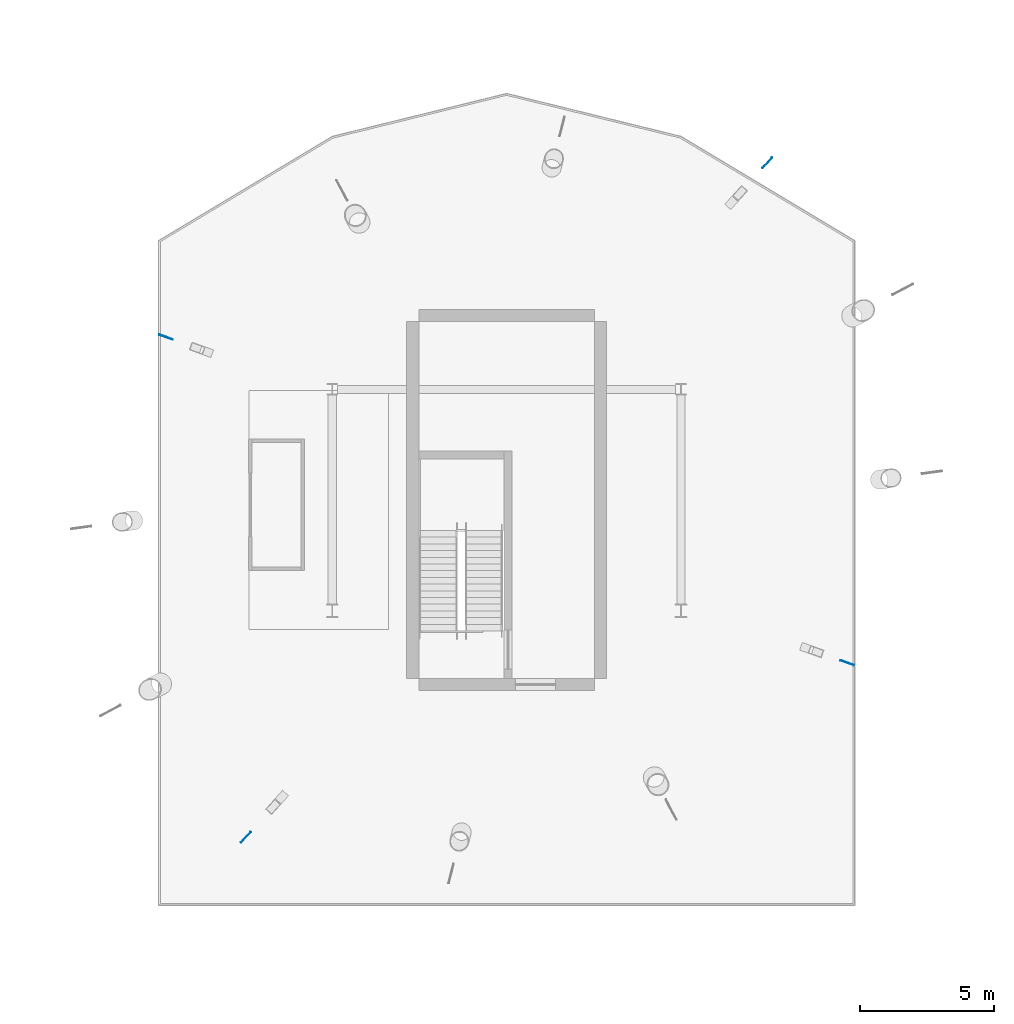
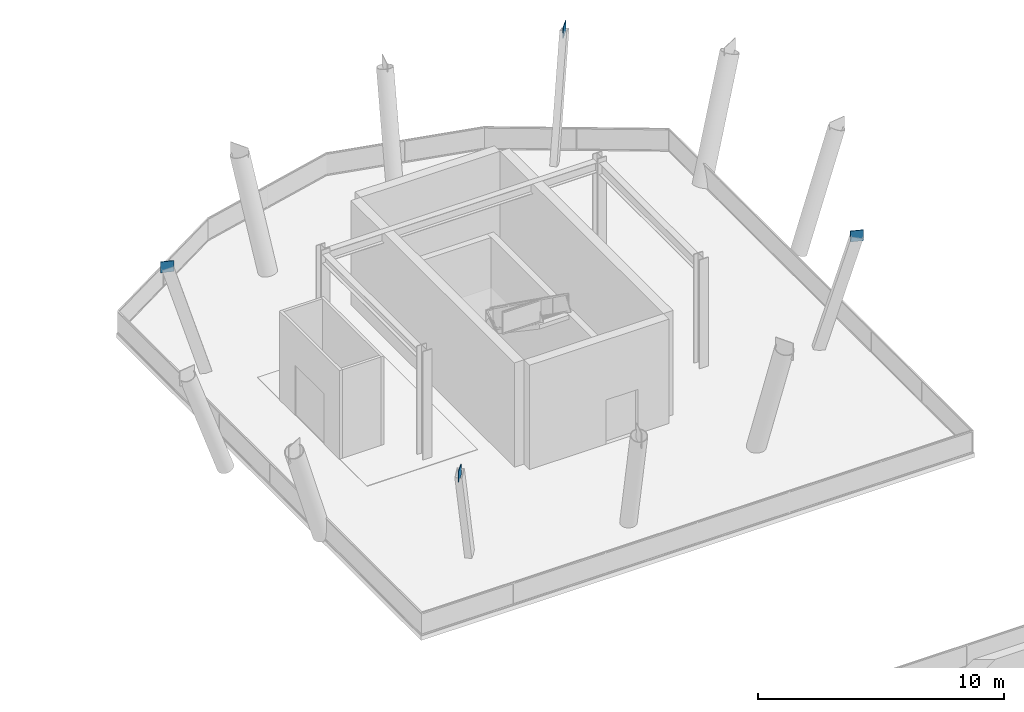
# One storey, part 86 of 117: 4 plates.
"""IFC4 building model written with IfcOpenShell, lengths in metres."""

from ifc_helpers import new_model, si_unit, direction, frame, origin, origin_2d, place, context, subcontext, project, spatial, rectangle, extrude, material, layer, layer_set, type_object, element, save


model = new_model("IFC4")

# Units and contexts
model_context = context("Model", 3, precision=1e-05, world=origin(), true_north=direction((0.0, 1.0)))
body_context = subcontext(model_context, "Body", "Model", "MODEL_VIEW")
ifc_project = project(units=[si_unit("LENGTHUNIT", "METRE"), si_unit("AREAUNIT", "SQUARE_METRE"), si_unit("VOLUMEUNIT", "CUBIC_METRE"), si_unit("PLANEANGLEUNIT", "RADIAN"), si_unit("MASSUNIT", "GRAM", prefix="KILO")], contexts=[model_context])

# Site, building, storey
site_placement = place(None, origin())
site = spatial("IfcSite", under=ifc_project, at=site_placement, CompositionType="ELEMENT")
building_placement = place(site_placement, origin())
building = spatial("IfcBuilding", under=site, at=building_placement, Name="Linyun Crest Stadium", CompositionType="ELEMENT")
storey_placement = place(building_placement, frame((0.0, 0.0, 6.0)))
storey = spatial("IfcBuildingStorey", under=building, at=storey_placement, Name="L02", CompositionType="ELEMENT", Elevation=6.0)

# Plates
ifc_material = material(Name="Steel Q420C", Category="steel")
ifc_layer = layer(ifc_material, 0.028076171875)
ifc_layer_set = layer_set([ifc_layer], Name="Steel Q420C")
plate_type = type_object("IfcPlateType", Name="EP03", PredefinedType="USERDEFINED", material=ifc_layer_set)
for number, where, z_axis, x_axis, name in (
    (1, (83.218017578125, 97.194091796875, 5.1279296875), (0.0, 0.0, 1.0), (0.667572701047, 0.744544618419, 0.0), "Hollow section cap end plate EP03 406"),
    (2, (60.802978515625, 90.694091796875, 5.1279296875), (0.0, 0.0, 1.0), (-0.941529364694, 0.336930935681, 0.0), "Hollow section cap end plate EP03 421"),
    (3, (63.781982421875, 72.055908203125, 5.1279296875), (0.0, 0.0, 1.0), (-0.667572701047, -0.744544618419, 0.0), "Hollow section cap end plate EP03 436"),
    (4, (86.197021484375, 78.555908203125, 5.1279296875), (0.0, 0.0, 1.0), (0.941529364694, -0.336930935681, 0.0), "Hollow section cap end plate EP03 451"),
):
    element("IfcPlate", number, at=place(storey_placement, frame(where, z_axis=z_axis, x_axis=x_axis)), inside=storey, type_object=plate_type, Name=name, ObjectType="END PLATE", PredefinedType="USERDEFINED", context=body_context, shape_type="SweptSolid", body=[
        extrude(rectangle(XDim=0.5400390625, YDim=0.028076171875, at=origin_2d()), origin(), (0.0, 0.0, 1.0), 0.5400390625),
    ])

save(model, "model.ifc")
